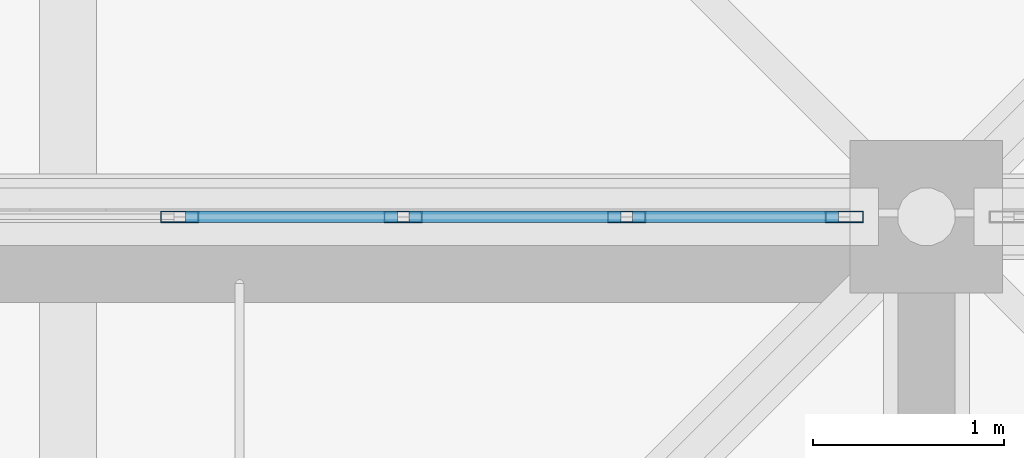
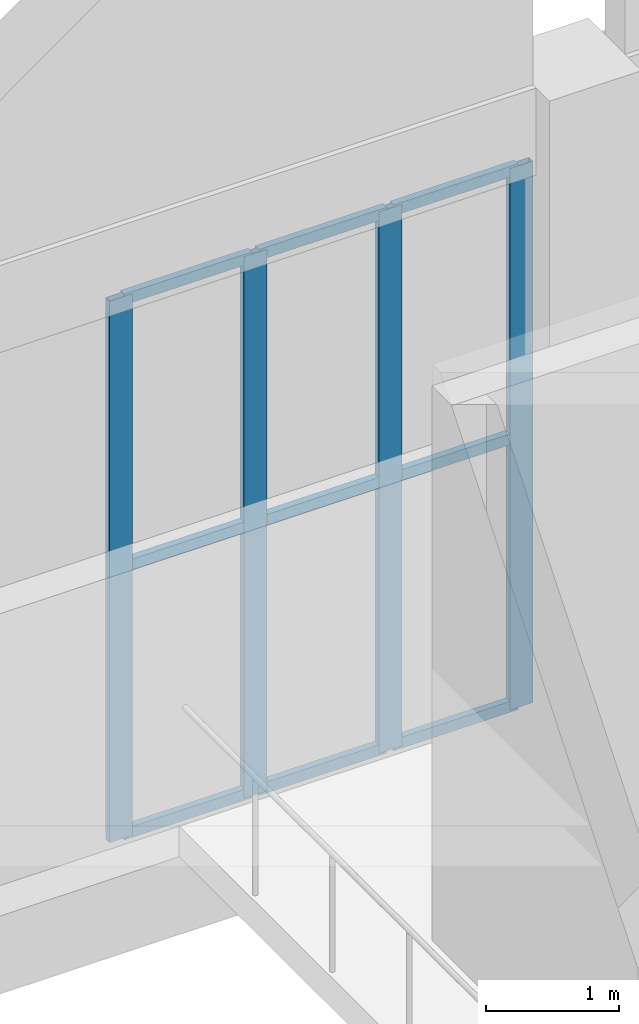
# One storey, part 107 of 437: 13 members, 1 element without a shape of its own.
"""IFC4 building model written with IfcOpenShell, lengths in metres."""

from ifc_helpers import new_model, si_unit, direction, frame, origin, origin_2d, place, context, subcontext, project, spatial, hollow_rectangle, extrude, material, layer, layer_set, material_profile, profile_set, type_object, element, aggregate, save


model = new_model("IFC4")

# Units and contexts
model_context = context("Model", 3, precision=1e-05, world=origin(), true_north=direction((0.0, 1.0)))
body_context = subcontext(model_context, "Body", "Model", "MODEL_VIEW")
ifc_project = project(units=[si_unit("LENGTHUNIT", "METRE"), si_unit("AREAUNIT", "SQUARE_METRE"), si_unit("VOLUMEUNIT", "CUBIC_METRE"), si_unit("PLANEANGLEUNIT", "RADIAN"), si_unit("MASSUNIT", "GRAM", prefix="KILO")], contexts=[model_context])

# Site, building, storey
site_placement = place(None, origin())
site = spatial("IfcSite", under=ifc_project, at=site_placement, CompositionType="ELEMENT")
building_placement = place(site_placement, origin())
building = spatial("IfcBuilding", under=site, at=building_placement, Name="Opaline Strait Convention Centre", CompositionType="ELEMENT")
storey_placement = place(building_placement, frame((0.0, 0.0, 11.5)))
storey = spatial("IfcBuildingStorey", under=building, at=storey_placement, Name="L02", CompositionType="ELEMENT", Elevation=11.5)

# Curtain wall, members
ifc_material_1 = material(Name="Aluminium framed double glazing", Category="aluminium")
ifc_layer = layer(ifc_material_1, 0.199951171875)
ifc_layer_set = layer_set([ifc_layer], Name="Aluminium framed double glazing")
curtain_wall_type = type_object("IfcCurtainWallType", Name="Curtain wall 1250", PredefinedType="NOTDEFINED", material=ifc_layer_set)
curtain_wall_placement = place(storey_placement, origin())
curtain_wall = element("IfcCurtainWall", 1, at=curtain_wall_placement, inside=storey, type_object=curtain_wall_type, Name="Curtain wall N-9-L02", PredefinedType="NOTDEFINED")
ifc_material_2 = material(Name="Aluminium alloy 6063", Category="aluminium")
ifc_material_profile_1 = material_profile(ifc_material_2, hollow_rectangle(XDim=0.06005859375, YDim=0.199951171875, WallThickness=0.00390625, at=origin_2d()), Name="MULLION 60x200x4")
ifc_profile_set_1 = profile_set([ifc_material_profile_1], Name="Aluminium alloy 6063")
member_type_1 = type_object("IfcMemberType", Name="Curtain wall mullion 60 x 200", PredefinedType="MULLION", material=ifc_profile_set_1)
member_1_placement = place(storey_placement, frame((14.085693359375, 180.0, -0.280029296875), z_axis=(0.0, 0.0, 1.0), x_axis=(0.0, 1.0, 0.0)))
member_1 = element("IfcMember", 2, at=member_1_placement, type_object=member_type_1, Name="PCW mullion 5", PredefinedType="MULLION", context=body_context, shape_type="SweptSolid", body=[
    extrude(hollow_rectangle(XDim=0.06005859375, YDim=0.199951171875, WallThickness=0.00390625, at=origin_2d()), origin(), (0.0, 0.0, 1.0), 4.97998046875),
])
member_2_placement = place(storey_placement, frame((15.257080078125, 180.0, -0.280029296875), z_axis=(0.0, 0.0, 1.0), x_axis=(0.0, 1.0, 0.0)))
member_2 = element("IfcMember", 3, at=member_2_placement, type_object=member_type_1, Name="PCW mullion 6", PredefinedType="MULLION", context=body_context, shape_type="SweptSolid", body=[
    extrude(hollow_rectangle(XDim=0.06005859375, YDim=0.199951171875, WallThickness=0.00390625, at=origin_2d()), origin(), (0.0, 0.0, 1.0), 4.97998046875),
])
member_3_placement = place(storey_placement, frame((16.4287109375, 180.0, -0.280029296875), z_axis=(0.0, 0.0, 1.0), x_axis=(0.0, 1.0, 0.0)))
member_3 = element("IfcMember", 4, at=member_3_placement, type_object=member_type_1, Name="PCW mullion 7", PredefinedType="MULLION", context=body_context, shape_type="SweptSolid", body=[
    extrude(hollow_rectangle(XDim=0.06005859375, YDim=0.199951171875, WallThickness=0.00390625, at=origin_2d()), origin(), (0.0, 0.0, 1.0), 4.97998046875),
])
member_4_placement = place(storey_placement, frame((17.570068359375, 180.0, -0.280029296875), z_axis=(0.0, 0.0, 1.0), x_axis=(0.0, 1.0, 0.0)))
member_4 = element("IfcMember", 5, at=member_4_placement, type_object=member_type_1, Name="PCW mullion 8", PredefinedType="MULLION", context=body_context, shape_type="SweptSolid", body=[
    extrude(hollow_rectangle(XDim=0.06005859375, YDim=0.199951171875, WallThickness=0.00390625, at=origin_2d()), origin(), (0.0, 0.0, 1.0), 4.97998046875),
])
ifc_material_profile_2 = material_profile(ifc_material_2, hollow_rectangle(XDim=0.06005859375, YDim=0.10009765625, WallThickness=0.0029296875, at=origin_2d()), Name="TRANSOM 60x100x3")
ifc_profile_set_2 = profile_set([ifc_material_profile_2], Name="Aluminium alloy 6063")
member_type_2 = type_object("IfcMemberType", Name="Curtain wall transom 60 x 100", PredefinedType="USERDEFINED", material=ifc_profile_set_2)
member_5_placement = place(storey_placement, frame((14.11572265625, 180.0, -0.25), z_axis=(1.0, 0.0, 0.0), x_axis=(0.0, 1.0, 0.0)))
member_5 = element("IfcMember", 6, at=member_5_placement, type_object=member_type_2, Name="PCW transom 5.1", ObjectType="TRANSOM", PredefinedType="USERDEFINED", context=body_context, shape_type="SweptSolid", body=[
    extrude(hollow_rectangle(XDim=0.06005859375, YDim=0.10009765625, WallThickness=0.0029296875, at=origin_2d()), origin(), (0.0, 0.0, 1.0), 1.111572265625),
])
member_6_placement = place(storey_placement, frame((14.11572265625, 180.0, 2.2099609375), z_axis=(1.0, 0.0, 0.0), x_axis=(0.0, 1.0, 0.0)))
member_6 = element("IfcMember", 7, at=member_6_placement, type_object=member_type_2, Name="PCW transom 5.2", ObjectType="TRANSOM", PredefinedType="USERDEFINED", context=body_context, shape_type="SweptSolid", body=[
    extrude(hollow_rectangle(XDim=0.06005859375, YDim=0.10009765625, WallThickness=0.0029296875, at=origin_2d()), origin(), (0.0, 0.0, 1.0), 1.111572265625),
])
member_7_placement = place(storey_placement, frame((14.11572265625, 180.0, 4.669921875), z_axis=(1.0, 0.0, 0.0), x_axis=(0.0, 1.0, 0.0)))
member_7 = element("IfcMember", 8, at=member_7_placement, type_object=member_type_2, Name="PCW transom 5.3", ObjectType="TRANSOM", PredefinedType="USERDEFINED", context=body_context, shape_type="SweptSolid", body=[
    extrude(hollow_rectangle(XDim=0.06005859375, YDim=0.10009765625, WallThickness=0.0029296875, at=origin_2d()), origin(), (0.0, 0.0, 1.0), 1.111572265625),
])
member_8_placement = place(storey_placement, frame((15.287109375, 180.0, -0.25), z_axis=(1.0, 0.0, 0.0), x_axis=(0.0, 1.0, 0.0)))
member_8 = element("IfcMember", 9, at=member_8_placement, type_object=member_type_2, Name="PCW transom 6.1", ObjectType="TRANSOM", PredefinedType="USERDEFINED", context=body_context, shape_type="SweptSolid", body=[
    extrude(hollow_rectangle(XDim=0.06005859375, YDim=0.10009765625, WallThickness=0.0029296875, at=origin_2d()), origin(), (0.0, 0.0, 1.0), 1.111572265625),
])
member_9_placement = place(storey_placement, frame((15.287109375, 180.0, 2.2099609375), z_axis=(1.0, 0.0, 0.0), x_axis=(0.0, 1.0, 0.0)))
member_9 = element("IfcMember", 10, at=member_9_placement, type_object=member_type_2, Name="PCW transom 6.2", ObjectType="TRANSOM", PredefinedType="USERDEFINED", context=body_context, shape_type="SweptSolid", body=[
    extrude(hollow_rectangle(XDim=0.06005859375, YDim=0.10009765625, WallThickness=0.0029296875, at=origin_2d()), origin(), (0.0, 0.0, 1.0), 1.111572265625),
])
member_10_placement = place(storey_placement, frame((15.287109375, 180.0, 4.669921875), z_axis=(1.0, 0.0, 0.0), x_axis=(0.0, 1.0, 0.0)))
member_10 = element("IfcMember", 11, at=member_10_placement, type_object=member_type_2, Name="PCW transom 6.3", ObjectType="TRANSOM", PredefinedType="USERDEFINED", context=body_context, shape_type="SweptSolid", body=[
    extrude(hollow_rectangle(XDim=0.06005859375, YDim=0.10009765625, WallThickness=0.0029296875, at=origin_2d()), origin(), (0.0, 0.0, 1.0), 1.111572265625),
])
member_11_placement = place(storey_placement, frame((16.458740234375, 180.0, -0.25), z_axis=(1.0, 0.0, 0.0), x_axis=(0.0, 1.0, 0.0)))
member_11 = element("IfcMember", 12, at=member_11_placement, type_object=member_type_2, Name="PCW transom 7.1", ObjectType="TRANSOM", PredefinedType="USERDEFINED", context=body_context, shape_type="SweptSolid", body=[
    extrude(hollow_rectangle(XDim=0.06005859375, YDim=0.10009765625, WallThickness=0.0029296875, at=origin_2d()), origin(), (0.0, 0.0, 1.0), 1.081298828125),
])
member_12_placement = place(storey_placement, frame((16.458740234375, 180.0, 2.2099609375), z_axis=(1.0, 0.0, 0.0), x_axis=(0.0, 1.0, 0.0)))
member_12 = element("IfcMember", 13, at=member_12_placement, type_object=member_type_2, Name="PCW transom 7.2", ObjectType="TRANSOM", PredefinedType="USERDEFINED", context=body_context, shape_type="SweptSolid", body=[
    extrude(hollow_rectangle(XDim=0.06005859375, YDim=0.10009765625, WallThickness=0.0029296875, at=origin_2d()), origin(), (0.0, 0.0, 1.0), 1.081298828125),
])
member_13_placement = place(storey_placement, frame((16.458740234375, 180.0, 4.669921875), z_axis=(1.0, 0.0, 0.0), x_axis=(0.0, 1.0, 0.0)))
member_13 = element("IfcMember", 14, at=member_13_placement, type_object=member_type_2, Name="PCW transom 7.3", ObjectType="TRANSOM", PredefinedType="USERDEFINED", context=body_context, shape_type="SweptSolid", body=[
    extrude(hollow_rectangle(XDim=0.06005859375, YDim=0.10009765625, WallThickness=0.0029296875, at=origin_2d()), origin(), (0.0, 0.0, 1.0), 1.081298828125),
])
aggregate(curtain_wall, [member_1, member_2, member_3, member_4, member_5, member_6, member_7, member_8, member_9, member_10, member_11, member_12, member_13])

save(model, "model.ifc")
